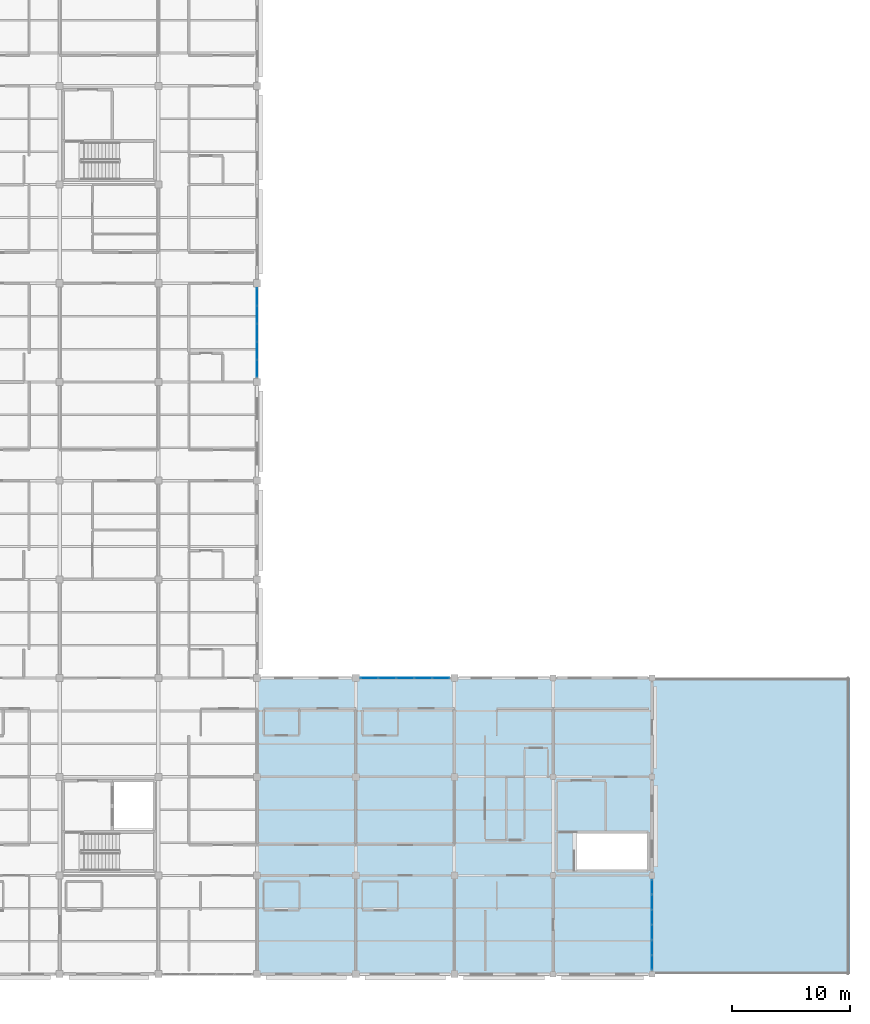
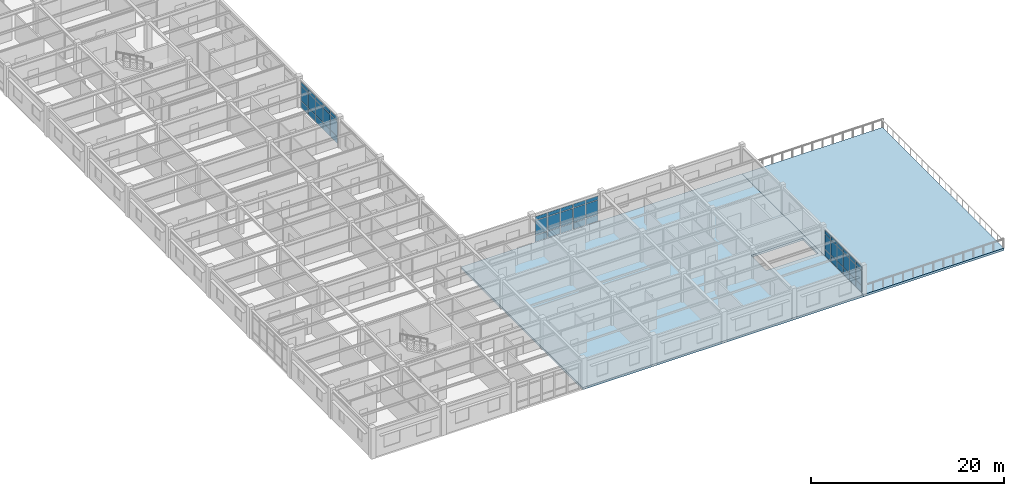
# One storey, part 39 of 70: 48 plates, 2 slabs, 3 elements without a shape of their own.
"""IFC4 building model written with IfcOpenShell, lengths in metres."""

from ifc_helpers import new_model, si_unit, direction, frame, origin, origin_2d, place, context, subcontext, project, spatial, polyline, rectangle, outline, extrude, material, layer, layer_set, type_object, element, aggregate, save


model = new_model("IFC4")

# Units and contexts
model_context = context("Model", 3, precision=1e-05, world=origin(), true_north=direction((0.0, 1.0)))
body_context = subcontext(model_context, "Body", "Model", "MODEL_VIEW")
ifc_project = project(units=[si_unit("LENGTHUNIT", "METRE"), si_unit("AREAUNIT", "SQUARE_METRE"), si_unit("VOLUMEUNIT", "CUBIC_METRE"), si_unit("PLANEANGLEUNIT", "RADIAN"), si_unit("MASSUNIT", "GRAM", prefix="KILO")], contexts=[model_context])

# Site, building, storey
site_placement = place(None, origin())
site = spatial("IfcSite", under=ifc_project, at=site_placement, CompositionType="ELEMENT")
building_placement = place(site_placement, origin())
building = spatial("IfcBuilding", under=site, at=building_placement, Name="Bramfleet General Hospital", CompositionType="ELEMENT")
storey_placement = place(building_placement, frame((0.0, 0.0, 22.5)))
storey = spatial("IfcBuildingStorey", under=building, at=storey_placement, Name="L05", CompositionType="ELEMENT", Elevation=22.5)

# Curtain wall, plates
ifc_material_1 = material(Name="Anodised aluminium and low-E triple glazing", Category="aluminium")
ifc_layer_1 = layer(ifc_material_1, 0.179931640625, Name="CWT-CW-11")
ifc_layer_set_1 = layer_set([ifc_layer_1], Name="Anodised aluminium and low-E triple glazing")
curtain_wall_type_1 = type_object("IfcCurtainWallType", Name="CWT-CW-11", PredefinedType="USERDEFINED", material=ifc_layer_set_1)
curtain_wall_1_placement = place(storey_placement, origin())
curtain_wall_1 = element("IfcCurtainWall", 1, at=curtain_wall_1_placement, inside=storey, type_object=curtain_wall_type_1, Name="L05 Curtain Wall 209", ObjectType="Stick curtain wall", PredefinedType="USERDEFINED")
ifc_material_2 = material(Name="Low-E laminated safety glass", Category="glass")
ifc_layer_2 = layer(ifc_material_2, 0.028076171875, Name="CWP-GLZ-1")
ifc_layer_set_2 = layer_set([ifc_layer_2], Name="Low-E laminated safety glass")
plate_type_1 = type_object("IfcPlateType", Name="CWP-GLZ-1", PredefinedType="CURTAIN_PANEL", material=ifc_layer_set_2)
plate_1_placement = place(storey_placement, frame((151.199951171875, 7.41162109375, 0.06494140625), z_axis=(0.0, 0.0, 1.0), x_axis=(0.0, -1.0, 0.0)))
plate_1 = element("IfcPlate", 2, at=plate_1_placement, type_object=plate_type_1, Name="CW-11 panel 1.1", PredefinedType="CURTAIN_PANEL", context=body_context, shape_type="SweptSolid", body=[
    extrude(rectangle(XDim=1.186767578125, YDim=0.028076171875, at=origin_2d()), origin(), (0.0, 0.0, 1.0), 0.802490234375),
])
plate_2_placement = place(storey_placement, frame((151.199951171875, 7.41162109375, 0.9326171875), z_axis=(0.0, 0.0, 1.0), x_axis=(0.0, -1.0, 0.0)))
plate_2 = element("IfcPlate", 3, at=plate_2_placement, type_object=plate_type_1, Name="CW-11 panel 1.2", PredefinedType="CURTAIN_PANEL", context=body_context, shape_type="SweptSolid", body=[
    extrude(rectangle(XDim=1.186767578125, YDim=0.028076171875, at=origin_2d()), origin(), (0.0, 0.0, 1.0), 1.85498046875),
])
plate_3_placement = place(storey_placement, frame((151.199951171875, 7.41162109375, 2.8525390625), z_axis=(0.0, 0.0, 1.0), x_axis=(0.0, -1.0, 0.0)))
plate_3 = element("IfcPlate", 4, at=plate_3_placement, type_object=plate_type_1, Name="CW-11 panel 1.3", PredefinedType="CURTAIN_PANEL", context=body_context, shape_type="SweptSolid", body=[
    extrude(rectangle(XDim=1.186767578125, YDim=0.028076171875, at=origin_2d()), origin(), (0.0, 0.0, 1.0), 0.452392578125),
])
plate_4_placement = place(storey_placement, frame((151.199951171875, 6.137451171875, 0.06494140625), z_axis=(0.0, 0.0, 1.0), x_axis=(0.0, -1.0, 0.0)))
plate_4 = element("IfcPlate", 5, at=plate_4_placement, type_object=plate_type_1, Name="CW-11 panel 2.1", PredefinedType="CURTAIN_PANEL", context=body_context, shape_type="SweptSolid", body=[
    extrude(rectangle(XDim=1.2216796875, YDim=0.028076171875, at=origin_2d()), origin(), (0.0, 0.0, 1.0), 0.802490234375),
])
plate_5_placement = place(storey_placement, frame((151.199951171875, 6.137451171875, 0.9326171875), z_axis=(0.0, 0.0, 1.0), x_axis=(0.0, -1.0, 0.0)))
plate_5 = element("IfcPlate", 6, at=plate_5_placement, type_object=plate_type_1, Name="CW-11 panel 2.2", PredefinedType="CURTAIN_PANEL", context=body_context, shape_type="SweptSolid", body=[
    extrude(rectangle(XDim=1.2216796875, YDim=0.028076171875, at=origin_2d()), origin(), (0.0, 0.0, 1.0), 1.85498046875),
])
plate_6_placement = place(storey_placement, frame((151.199951171875, 6.137451171875, 2.8525390625), z_axis=(0.0, 0.0, 1.0), x_axis=(0.0, -1.0, 0.0)))
plate_6 = element("IfcPlate", 7, at=plate_6_placement, type_object=plate_type_1, Name="CW-11 panel 2.3", PredefinedType="CURTAIN_PANEL", context=body_context, shape_type="SweptSolid", body=[
    extrude(rectangle(XDim=1.2216796875, YDim=0.028076171875, at=origin_2d()), origin(), (0.0, 0.0, 1.0), 0.452392578125),
])
plate_7_placement = place(storey_placement, frame((151.199951171875, 4.845947265625, 0.06494140625), z_axis=(0.0, 0.0, 1.0), x_axis=(0.0, -1.0, 0.0)))
plate_7 = element("IfcPlate", 8, at=plate_7_placement, type_object=plate_type_1, Name="CW-11 panel 3.1", PredefinedType="CURTAIN_PANEL", context=body_context, shape_type="SweptSolid", body=[
    extrude(rectangle(XDim=1.2216796875, YDim=0.028076171875, at=origin_2d()), origin(), (0.0, 0.0, 1.0), 0.802490234375),
])
plate_8_placement = place(storey_placement, frame((151.199951171875, 4.845947265625, 0.9326171875), z_axis=(0.0, 0.0, 1.0), x_axis=(0.0, -1.0, 0.0)))
plate_8 = element("IfcPlate", 9, at=plate_8_placement, type_object=plate_type_1, Name="CW-11 panel 3.2", PredefinedType="CURTAIN_PANEL", context=body_context, shape_type="SweptSolid", body=[
    extrude(rectangle(XDim=1.2216796875, YDim=0.028076171875, at=origin_2d()), origin(), (0.0, 0.0, 1.0), 1.85498046875),
])
plate_9_placement = place(storey_placement, frame((151.199951171875, 4.845947265625, 2.8525390625), z_axis=(0.0, 0.0, 1.0), x_axis=(0.0, -1.0, 0.0)))
plate_9 = element("IfcPlate", 10, at=plate_9_placement, type_object=plate_type_1, Name="CW-11 panel 3.3", PredefinedType="CURTAIN_PANEL", context=body_context, shape_type="SweptSolid", body=[
    extrude(rectangle(XDim=1.2216796875, YDim=0.028076171875, at=origin_2d()), origin(), (0.0, 0.0, 1.0), 0.452392578125),
])
plate_10_placement = place(storey_placement, frame((151.199951171875, 3.55419921875, 0.06494140625), z_axis=(0.0, 0.0, 1.0), x_axis=(0.0, -1.0, 0.0)))
plate_10 = element("IfcPlate", 11, at=plate_10_placement, type_object=plate_type_1, Name="CW-11 panel 4.1", PredefinedType="CURTAIN_PANEL", context=body_context, shape_type="SweptSolid", body=[
    extrude(rectangle(XDim=1.2216796875, YDim=0.028076171875, at=origin_2d()), origin(), (0.0, 0.0, 1.0), 0.802490234375),
])
plate_11_placement = place(storey_placement, frame((151.199951171875, 3.55419921875, 0.9326171875), z_axis=(0.0, 0.0, 1.0), x_axis=(0.0, -1.0, 0.0)))
plate_11 = element("IfcPlate", 12, at=plate_11_placement, type_object=plate_type_1, Name="CW-11 panel 4.2", PredefinedType="CURTAIN_PANEL", context=body_context, shape_type="SweptSolid", body=[
    extrude(rectangle(XDim=1.2216796875, YDim=0.028076171875, at=origin_2d()), origin(), (0.0, 0.0, 1.0), 1.85498046875),
])
plate_12_placement = place(storey_placement, frame((151.199951171875, 3.55419921875, 2.8525390625), z_axis=(0.0, 0.0, 1.0), x_axis=(0.0, -1.0, 0.0)))
plate_12 = element("IfcPlate", 13, at=plate_12_placement, type_object=plate_type_1, Name="CW-11 panel 4.3", PredefinedType="CURTAIN_PANEL", context=body_context, shape_type="SweptSolid", body=[
    extrude(rectangle(XDim=1.2216796875, YDim=0.028076171875, at=origin_2d()), origin(), (0.0, 0.0, 1.0), 0.452392578125),
])
plate_13_placement = place(storey_placement, frame((151.199951171875, 2.262451171875, 0.06494140625), z_axis=(0.0, 0.0, 1.0), x_axis=(0.0, -1.0, 0.0)))
plate_13 = element("IfcPlate", 14, at=plate_13_placement, type_object=plate_type_1, Name="CW-11 panel 5.1", PredefinedType="CURTAIN_PANEL", context=body_context, shape_type="SweptSolid", body=[
    extrude(rectangle(XDim=1.2216796875, YDim=0.028076171875, at=origin_2d()), origin(), (0.0, 0.0, 1.0), 0.802490234375),
])
plate_14_placement = place(storey_placement, frame((151.199951171875, 2.262451171875, 0.9326171875), z_axis=(0.0, 0.0, 1.0), x_axis=(0.0, -1.0, 0.0)))
plate_14 = element("IfcPlate", 15, at=plate_14_placement, type_object=plate_type_1, Name="CW-11 panel 5.2", PredefinedType="CURTAIN_PANEL", context=body_context, shape_type="SweptSolid", body=[
    extrude(rectangle(XDim=1.2216796875, YDim=0.028076171875, at=origin_2d()), origin(), (0.0, 0.0, 1.0), 1.85498046875),
])
plate_15_placement = place(storey_placement, frame((151.199951171875, 2.262451171875, 2.8525390625), z_axis=(0.0, 0.0, 1.0), x_axis=(0.0, -1.0, 0.0)))
plate_15 = element("IfcPlate", 16, at=plate_15_placement, type_object=plate_type_1, Name="CW-11 panel 5.3", PredefinedType="CURTAIN_PANEL", context=body_context, shape_type="SweptSolid", body=[
    extrude(rectangle(XDim=1.2216796875, YDim=0.028076171875, at=origin_2d()), origin(), (0.0, 0.0, 1.0), 0.452392578125),
])
plate_16_placement = place(storey_placement, frame((151.199951171875, 0.98828125, 0.06494140625), z_axis=(0.0, 0.0, 1.0), x_axis=(0.0, -1.0, 0.0)))
plate_16 = element("IfcPlate", 17, at=plate_16_placement, type_object=plate_type_1, Name="CW-11 panel 6.1", PredefinedType="CURTAIN_PANEL", context=body_context, shape_type="SweptSolid", body=[
    extrude(rectangle(XDim=1.186767578125, YDim=0.028076171875, at=origin_2d()), origin(), (0.0, 0.0, 1.0), 0.802490234375),
])
plate_17_placement = place(storey_placement, frame((151.199951171875, 0.98828125, 0.9326171875), z_axis=(0.0, 0.0, 1.0), x_axis=(0.0, -1.0, 0.0)))
plate_17 = element("IfcPlate", 18, at=plate_17_placement, type_object=plate_type_1, Name="CW-11 panel 6.2", PredefinedType="CURTAIN_PANEL", context=body_context, shape_type="SweptSolid", body=[
    extrude(rectangle(XDim=1.186767578125, YDim=0.028076171875, at=origin_2d()), origin(), (0.0, 0.0, 1.0), 1.85498046875),
])
plate_18_placement = place(storey_placement, frame((151.199951171875, 0.98828125, 2.8525390625), z_axis=(0.0, 0.0, 1.0), x_axis=(0.0, -1.0, 0.0)))
plate_18 = element("IfcPlate", 19, at=plate_18_placement, type_object=plate_type_1, Name="CW-11 panel 6.3", PredefinedType="CURTAIN_PANEL", context=body_context, shape_type="SweptSolid", body=[
    extrude(rectangle(XDim=1.186767578125, YDim=0.028076171875, at=origin_2d()), origin(), (0.0, 0.0, 1.0), 0.452392578125),
])
aggregate(curtain_wall_1, [plate_1, plate_2, plate_3, plate_4, plate_5, plate_6, plate_7, plate_8, plate_9, plate_10, plate_11, plate_12, plate_13, plate_14, plate_15, plate_16, plate_17, plate_18])

ifc_layer_3 = layer(ifc_material_1, 0.179931640625, Name="CWT-CW-09")
ifc_layer_set_3 = layer_set([ifc_layer_3], Name="Anodised aluminium and low-E triple glazing")
curtain_wall_type_2 = type_object("IfcCurtainWallType", Name="CWT-CW-09", PredefinedType="USERDEFINED", material=ifc_layer_set_3)
curtain_wall_2_placement = place(storey_placement, origin())
curtain_wall_2 = element("IfcCurtainWall", 20, at=curtain_wall_2_placement, inside=storey, type_object=curtain_wall_type_2, Name="L05 Curtain Wall 207", ObjectType="Unitised curtain wall", PredefinedType="USERDEFINED")
ifc_layer_4 = layer(ifc_material_2, 0.035888671875, Name="CWP-GLZ-3")
ifc_layer_set_4 = layer_set([ifc_layer_4], Name="Low-E laminated safety glass")
plate_type_2 = type_object("IfcPlateType", Name="CWP-GLZ-3", PredefinedType="CURTAIN_PANEL", material=ifc_layer_set_4)
plate_19_placement = place(storey_placement, frame((117.60009765625, 57.642578125, 0.06494140625), z_axis=(0.0, 0.0, 1.0), x_axis=(0.0, -1.0, 0.0)))
plate_19 = element("IfcPlate", 21, at=plate_19_placement, type_object=plate_type_2, Name="CW-09 panel 1.1", PredefinedType="CURTAIN_PANEL", context=body_context, shape_type="SweptSolid", body=[
    extrude(rectangle(XDim=1.425048828125, YDim=0.035888671875, at=origin_2d()), origin(), (0.0, 0.0, 1.0), 0.802490234375),
])
plate_20_placement = place(storey_placement, frame((117.60009765625, 57.642578125, 0.9326171875), z_axis=(0.0, 0.0, 1.0), x_axis=(0.0, -1.0, 0.0)))
plate_20 = element("IfcPlate", 22, at=plate_20_placement, type_object=plate_type_2, Name="CW-09 panel 1.2", PredefinedType="CURTAIN_PANEL", context=body_context, shape_type="SweptSolid", body=[
    extrude(rectangle(XDim=1.425048828125, YDim=0.035888671875, at=origin_2d()), origin(), (0.0, 0.0, 1.0), 1.864990234375),
])
plate_21_placement = place(storey_placement, frame((117.60009765625, 57.642578125, 2.86279296875), z_axis=(0.0, 0.0, 1.0), x_axis=(0.0, -1.0, 0.0)))
plate_21 = element("IfcPlate", 23, at=plate_21_placement, type_object=plate_type_2, Name="CW-09 panel 1.3", PredefinedType="CURTAIN_PANEL", context=body_context, shape_type="SweptSolid", body=[
    extrude(rectangle(XDim=1.425048828125, YDim=0.035888671875, at=origin_2d()), origin(), (0.0, 0.0, 1.0), 0.452392578125),
])
plate_22_placement = place(storey_placement, frame((117.60009765625, 56.1298828125, 0.06494140625), z_axis=(0.0, 0.0, 1.0), x_axis=(0.0, -1.0, 0.0)))
plate_22 = element("IfcPlate", 24, at=plate_22_placement, type_object=plate_type_2, Name="CW-09 panel 2.1", PredefinedType="CURTAIN_PANEL", context=body_context, shape_type="SweptSolid", body=[
    extrude(rectangle(XDim=1.4599609375, YDim=0.035888671875, at=origin_2d()), origin(), (0.0, 0.0, 1.0), 0.802490234375),
])
plate_23_placement = place(storey_placement, frame((117.60009765625, 56.1298828125, 0.9326171875), z_axis=(0.0, 0.0, 1.0), x_axis=(0.0, -1.0, 0.0)))
plate_23 = element("IfcPlate", 25, at=plate_23_placement, type_object=plate_type_2, Name="CW-09 panel 2.2", PredefinedType="CURTAIN_PANEL", context=body_context, shape_type="SweptSolid", body=[
    extrude(rectangle(XDim=1.4599609375, YDim=0.035888671875, at=origin_2d()), origin(), (0.0, 0.0, 1.0), 1.864990234375),
])
plate_24_placement = place(storey_placement, frame((117.60009765625, 56.1298828125, 2.86279296875), z_axis=(0.0, 0.0, 1.0), x_axis=(0.0, -1.0, 0.0)))
plate_24 = element("IfcPlate", 26, at=plate_24_placement, type_object=plate_type_2, Name="CW-09 panel 2.3", PredefinedType="CURTAIN_PANEL", context=body_context, shape_type="SweptSolid", body=[
    extrude(rectangle(XDim=1.4599609375, YDim=0.035888671875, at=origin_2d()), origin(), (0.0, 0.0, 1.0), 0.452392578125),
])
plate_25_placement = place(storey_placement, frame((117.60009765625, 54.60009765625, 0.06494140625), z_axis=(0.0, 0.0, 1.0), x_axis=(0.0, -1.0, 0.0)))
plate_25 = element("IfcPlate", 27, at=plate_25_placement, type_object=plate_type_2, Name="CW-09 panel 3.1", PredefinedType="CURTAIN_PANEL", context=body_context, shape_type="SweptSolid", body=[
    extrude(rectangle(XDim=1.4599609375, YDim=0.035888671875, at=origin_2d()), origin(), (0.0, 0.0, 1.0), 0.802490234375),
])
plate_26_placement = place(storey_placement, frame((117.60009765625, 54.60009765625, 0.9326171875), z_axis=(0.0, 0.0, 1.0), x_axis=(0.0, -1.0, 0.0)))
plate_26 = element("IfcPlate", 28, at=plate_26_placement, type_object=plate_type_2, Name="CW-09 panel 3.2", PredefinedType="CURTAIN_PANEL", context=body_context, shape_type="SweptSolid", body=[
    extrude(rectangle(XDim=1.4599609375, YDim=0.035888671875, at=origin_2d()), origin(), (0.0, 0.0, 1.0), 1.864990234375),
])
plate_27_placement = place(storey_placement, frame((117.60009765625, 54.60009765625, 2.86279296875), z_axis=(0.0, 0.0, 1.0), x_axis=(0.0, -1.0, 0.0)))
plate_27 = element("IfcPlate", 29, at=plate_27_placement, type_object=plate_type_2, Name="CW-09 panel 3.3", PredefinedType="CURTAIN_PANEL", context=body_context, shape_type="SweptSolid", body=[
    extrude(rectangle(XDim=1.4599609375, YDim=0.035888671875, at=origin_2d()), origin(), (0.0, 0.0, 1.0), 0.452392578125),
])
plate_28_placement = place(storey_placement, frame((117.60009765625, 53.070068359375, 0.06494140625), z_axis=(0.0, 0.0, 1.0), x_axis=(0.0, -1.0, 0.0)))
plate_28 = element("IfcPlate", 30, at=plate_28_placement, type_object=plate_type_2, Name="CW-09 panel 4.1", PredefinedType="CURTAIN_PANEL", context=body_context, shape_type="SweptSolid", body=[
    extrude(rectangle(XDim=1.4599609375, YDim=0.035888671875, at=origin_2d()), origin(), (0.0, 0.0, 1.0), 0.802490234375),
])
plate_29_placement = place(storey_placement, frame((117.60009765625, 53.070068359375, 0.9326171875), z_axis=(0.0, 0.0, 1.0), x_axis=(0.0, -1.0, 0.0)))
plate_29 = element("IfcPlate", 31, at=plate_29_placement, type_object=plate_type_2, Name="CW-09 panel 4.2", PredefinedType="CURTAIN_PANEL", context=body_context, shape_type="SweptSolid", body=[
    extrude(rectangle(XDim=1.4599609375, YDim=0.035888671875, at=origin_2d()), origin(), (0.0, 0.0, 1.0), 1.864990234375),
])
plate_30_placement = place(storey_placement, frame((117.60009765625, 53.070068359375, 2.86279296875), z_axis=(0.0, 0.0, 1.0), x_axis=(0.0, -1.0, 0.0)))
plate_30 = element("IfcPlate", 32, at=plate_30_placement, type_object=plate_type_2, Name="CW-09 panel 4.3", PredefinedType="CURTAIN_PANEL", context=body_context, shape_type="SweptSolid", body=[
    extrude(rectangle(XDim=1.4599609375, YDim=0.035888671875, at=origin_2d()), origin(), (0.0, 0.0, 1.0), 0.452392578125),
])
plate_31_placement = place(storey_placement, frame((117.60009765625, 51.5576171875, 0.06494140625), z_axis=(0.0, 0.0, 1.0), x_axis=(0.0, -1.0, 0.0)))
plate_31 = element("IfcPlate", 33, at=plate_31_placement, type_object=plate_type_2, Name="CW-09 panel 5.1", PredefinedType="CURTAIN_PANEL", context=body_context, shape_type="SweptSolid", body=[
    extrude(rectangle(XDim=1.425048828125, YDim=0.035888671875, at=origin_2d()), origin(), (0.0, 0.0, 1.0), 0.802490234375),
])
plate_32_placement = place(storey_placement, frame((117.60009765625, 51.5576171875, 0.9326171875), z_axis=(0.0, 0.0, 1.0), x_axis=(0.0, -1.0, 0.0)))
plate_32 = element("IfcPlate", 34, at=plate_32_placement, type_object=plate_type_2, Name="CW-09 panel 5.2", PredefinedType="CURTAIN_PANEL", context=body_context, shape_type="SweptSolid", body=[
    extrude(rectangle(XDim=1.425048828125, YDim=0.035888671875, at=origin_2d()), origin(), (0.0, 0.0, 1.0), 1.864990234375),
])
plate_33_placement = place(storey_placement, frame((117.60009765625, 51.5576171875, 2.86279296875), z_axis=(0.0, 0.0, 1.0), x_axis=(0.0, -1.0, 0.0)))
plate_33 = element("IfcPlate", 35, at=plate_33_placement, type_object=plate_type_2, Name="CW-09 panel 5.3", PredefinedType="CURTAIN_PANEL", context=body_context, shape_type="SweptSolid", body=[
    extrude(rectangle(XDim=1.425048828125, YDim=0.035888671875, at=origin_2d()), origin(), (0.0, 0.0, 1.0), 0.452392578125),
])
aggregate(curtain_wall_2, [plate_19, plate_20, plate_21, plate_22, plate_23, plate_24, plate_25, plate_26, plate_27, plate_28, plate_29, plate_30, plate_31, plate_32, plate_33])

ifc_layer_5 = layer(ifc_material_1, 0.179931640625, Name="CWT-CW-10")
ifc_layer_set_5 = layer_set([ifc_layer_5], Name="Anodised aluminium and low-E triple glazing")
curtain_wall_type_3 = type_object("IfcCurtainWallType", Name="CWT-CW-10", PredefinedType="USERDEFINED", material=ifc_layer_set_5)
curtain_wall_3_placement = place(storey_placement, origin())
curtain_wall_3 = element("IfcCurtainWall", 36, at=curtain_wall_3_placement, inside=storey, type_object=curtain_wall_type_3, Name="L05 Curtain Wall 208", ObjectType="Stick curtain wall", PredefinedType="USERDEFINED")
ifc_layer_6 = layer(ifc_material_2, 0.0419921875, Name="CWP-GLZ-4")
ifc_layer_set_6 = layer_set([ifc_layer_6], Name="Low-E laminated safety glass")
plate_type_3 = type_object("IfcPlateType", Name="CWP-GLZ-4", PredefinedType="CURTAIN_PANEL", material=ifc_layer_set_6)
plate_34_placement = place(storey_placement, frame((127.157470703125, 25.199951171875, 0.06494140625), z_axis=(0.0, 0.0, 1.0), x_axis=(1.0, 0.0, 0.0)))
plate_34 = element("IfcPlate", 37, at=plate_34_placement, type_object=plate_type_3, Name="CW-10 panel 1.1", PredefinedType="CURTAIN_PANEL", context=body_context, shape_type="SweptSolid", body=[
    extrude(rectangle(XDim=1.425048828125, YDim=0.0419921875, at=origin_2d()), origin(), (0.0, 0.0, 1.0), 0.802490234375),
])
plate_35_placement = place(storey_placement, frame((127.157470703125, 25.199951171875, 0.9326171875), z_axis=(0.0, 0.0, 1.0), x_axis=(1.0, 0.0, 0.0)))
plate_35 = element("IfcPlate", 38, at=plate_35_placement, type_object=plate_type_3, Name="CW-10 panel 1.2", PredefinedType="CURTAIN_PANEL", context=body_context, shape_type="SweptSolid", body=[
    extrude(rectangle(XDim=1.425048828125, YDim=0.0419921875, at=origin_2d()), origin(), (0.0, 0.0, 1.0), 1.794921875),
])
plate_36_placement = place(storey_placement, frame((127.157470703125, 25.199951171875, 2.79248046875), z_axis=(0.0, 0.0, 1.0), x_axis=(1.0, 0.0, 0.0)))
plate_36 = element("IfcPlate", 39, at=plate_36_placement, type_object=plate_type_3, Name="CW-10 panel 1.3", PredefinedType="CURTAIN_PANEL", context=body_context, shape_type="SweptSolid", body=[
    extrude(rectangle(XDim=1.425048828125, YDim=0.0419921875, at=origin_2d()), origin(), (0.0, 0.0, 1.0), 0.452392578125),
])
plate_37_placement = place(storey_placement, frame((128.669921875, 25.199951171875, 0.06494140625), z_axis=(0.0, 0.0, 1.0), x_axis=(1.0, 0.0, 0.0)))
plate_37 = element("IfcPlate", 40, at=plate_37_placement, type_object=plate_type_3, Name="CW-10 panel 2.1", PredefinedType="CURTAIN_PANEL", context=body_context, shape_type="SweptSolid", body=[
    extrude(rectangle(XDim=1.4599609375, YDim=0.0419921875, at=origin_2d()), origin(), (0.0, 0.0, 1.0), 0.802490234375),
])
plate_38_placement = place(storey_placement, frame((128.669921875, 25.199951171875, 0.9326171875), z_axis=(0.0, 0.0, 1.0), x_axis=(1.0, 0.0, 0.0)))
plate_38 = element("IfcPlate", 41, at=plate_38_placement, type_object=plate_type_3, Name="CW-10 panel 2.2", PredefinedType="CURTAIN_PANEL", context=body_context, shape_type="SweptSolid", body=[
    extrude(rectangle(XDim=1.4599609375, YDim=0.0419921875, at=origin_2d()), origin(), (0.0, 0.0, 1.0), 1.794921875),
])
plate_39_placement = place(storey_placement, frame((128.669921875, 25.199951171875, 2.79248046875), z_axis=(0.0, 0.0, 1.0), x_axis=(1.0, 0.0, 0.0)))
plate_39 = element("IfcPlate", 42, at=plate_39_placement, type_object=plate_type_3, Name="CW-10 panel 2.3", PredefinedType="CURTAIN_PANEL", context=body_context, shape_type="SweptSolid", body=[
    extrude(rectangle(XDim=1.4599609375, YDim=0.0419921875, at=origin_2d()), origin(), (0.0, 0.0, 1.0), 0.452392578125),
])
plate_40_placement = place(storey_placement, frame((130.199951171875, 25.199951171875, 0.06494140625), z_axis=(0.0, 0.0, 1.0), x_axis=(1.0, 0.0, 0.0)))
plate_40 = element("IfcPlate", 43, at=plate_40_placement, type_object=plate_type_3, Name="CW-10 panel 3.1", PredefinedType="CURTAIN_PANEL", context=body_context, shape_type="SweptSolid", body=[
    extrude(rectangle(XDim=1.4599609375, YDim=0.0419921875, at=origin_2d()), origin(), (0.0, 0.0, 1.0), 0.802490234375),
])
plate_41_placement = place(storey_placement, frame((130.199951171875, 25.199951171875, 0.9326171875), z_axis=(0.0, 0.0, 1.0), x_axis=(1.0, 0.0, 0.0)))
plate_41 = element("IfcPlate", 44, at=plate_41_placement, type_object=plate_type_3, Name="CW-10 panel 3.2", PredefinedType="CURTAIN_PANEL", context=body_context, shape_type="SweptSolid", body=[
    extrude(rectangle(XDim=1.4599609375, YDim=0.0419921875, at=origin_2d()), origin(), (0.0, 0.0, 1.0), 1.794921875),
])
plate_42_placement = place(storey_placement, frame((130.199951171875, 25.199951171875, 2.79248046875), z_axis=(0.0, 0.0, 1.0), x_axis=(1.0, 0.0, 0.0)))
plate_42 = element("IfcPlate", 45, at=plate_42_placement, type_object=plate_type_3, Name="CW-10 panel 3.3", PredefinedType="CURTAIN_PANEL", context=body_context, shape_type="SweptSolid", body=[
    extrude(rectangle(XDim=1.4599609375, YDim=0.0419921875, at=origin_2d()), origin(), (0.0, 0.0, 1.0), 0.452392578125),
])
plate_43_placement = place(storey_placement, frame((131.72998046875, 25.199951171875, 0.06494140625), z_axis=(0.0, 0.0, 1.0), x_axis=(1.0, 0.0, 0.0)))
plate_43 = element("IfcPlate", 46, at=plate_43_placement, type_object=plate_type_3, Name="CW-10 panel 4.1", PredefinedType="CURTAIN_PANEL", context=body_context, shape_type="SweptSolid", body=[
    extrude(rectangle(XDim=1.4599609375, YDim=0.0419921875, at=origin_2d()), origin(), (0.0, 0.0, 1.0), 0.802490234375),
])
plate_44_placement = place(storey_placement, frame((131.72998046875, 25.199951171875, 0.9326171875), z_axis=(0.0, 0.0, 1.0), x_axis=(1.0, 0.0, 0.0)))
plate_44 = element("IfcPlate", 47, at=plate_44_placement, type_object=plate_type_3, Name="CW-10 panel 4.2", PredefinedType="CURTAIN_PANEL", context=body_context, shape_type="SweptSolid", body=[
    extrude(rectangle(XDim=1.4599609375, YDim=0.0419921875, at=origin_2d()), origin(), (0.0, 0.0, 1.0), 1.794921875),
])
plate_45_placement = place(storey_placement, frame((131.72998046875, 25.199951171875, 2.79248046875), z_axis=(0.0, 0.0, 1.0), x_axis=(1.0, 0.0, 0.0)))
plate_45 = element("IfcPlate", 48, at=plate_45_placement, type_object=plate_type_3, Name="CW-10 panel 4.3", PredefinedType="CURTAIN_PANEL", context=body_context, shape_type="SweptSolid", body=[
    extrude(rectangle(XDim=1.4599609375, YDim=0.0419921875, at=origin_2d()), origin(), (0.0, 0.0, 1.0), 0.452392578125),
])
plate_46_placement = place(storey_placement, frame((133.242431640625, 25.199951171875, 0.06494140625), z_axis=(0.0, 0.0, 1.0), x_axis=(1.0, 0.0, 0.0)))
plate_46 = element("IfcPlate", 49, at=plate_46_placement, type_object=plate_type_3, Name="CW-10 panel 5.1", PredefinedType="CURTAIN_PANEL", context=body_context, shape_type="SweptSolid", body=[
    extrude(rectangle(XDim=1.425048828125, YDim=0.0419921875, at=origin_2d()), origin(), (0.0, 0.0, 1.0), 0.802490234375),
])
plate_47_placement = place(storey_placement, frame((133.242431640625, 25.199951171875, 0.9326171875), z_axis=(0.0, 0.0, 1.0), x_axis=(1.0, 0.0, 0.0)))
plate_47 = element("IfcPlate", 50, at=plate_47_placement, type_object=plate_type_3, Name="CW-10 panel 5.2", PredefinedType="CURTAIN_PANEL", context=body_context, shape_type="SweptSolid", body=[
    extrude(rectangle(XDim=1.425048828125, YDim=0.0419921875, at=origin_2d()), origin(), (0.0, 0.0, 1.0), 1.794921875),
])
plate_48_placement = place(storey_placement, frame((133.242431640625, 25.199951171875, 2.79248046875), z_axis=(0.0, 0.0, 1.0), x_axis=(1.0, 0.0, 0.0)))
plate_48 = element("IfcPlate", 51, at=plate_48_placement, type_object=plate_type_3, Name="CW-10 panel 5.3", PredefinedType="CURTAIN_PANEL", context=body_context, shape_type="SweptSolid", body=[
    extrude(rectangle(XDim=1.425048828125, YDim=0.0419921875, at=origin_2d()), origin(), (0.0, 0.0, 1.0), 0.452392578125),
])
aggregate(curtain_wall_3, [plate_34, plate_35, plate_36, plate_37, plate_38, plate_39, plate_40, plate_41, plate_42, plate_43, plate_44, plate_45, plate_46, plate_47, plate_48])

# Slabs
ifc_material_3 = material(Name="Concrete C35/45", Category="concrete")
ifc_layer_7 = layer(ifc_material_3, 0.280029296875, Name="SL-FLR-280")
ifc_layer_set_7 = layer_set([ifc_layer_7], Name="Concrete C35/45")
slab_type_1 = type_object("IfcSlabType", Name="SL-FLR-280", PredefinedType="FLOOR", material=ifc_layer_set_7)
slab_1_placement = place(storey_placement, frame((0.0, 0.0, -0.280029296875)))
element("IfcSlab", 52, at=slab_1_placement, inside=storey, type_object=slab_type_1, Name="L05 Structural Floor Slab (EAST)", PredefinedType="FLOOR", context=body_context, shape_type="SweptSolid", body=[
    extrude(outline(polyline([(126.0, 25.199951171875), (134.39990234375, 25.199951171875), (142.800048828125, 25.199951171875), (151.199951171875, 25.199951171875), (151.199951171875, 16.800048828125), (151.199951171875, 8.39990234375), (151.199951171875, 0.0), (142.800048828125, 0.0), (134.39990234375, 0.0), (126.0, 0.0), (117.60009765625, 0.0), (117.60009765625, 25.199951171875), (126.0, 25.199951171875)]), holes=[polyline([(144.639892578125, 8.820068359375), (150.860107421875, 8.820068359375), (150.860107421875, 11.97998046875), (144.639892578125, 11.97998046875), (144.639892578125, 8.820068359375)])]), origin(), (0.0, 0.0, 1.0), 0.280029296875),
])
ifc_layer_8 = layer(ifc_material_3, 0.2900390625, Name="SL-TER-290")
ifc_layer_set_8 = layer_set([ifc_layer_8], Name="Concrete C35/45")
slab_type_2 = type_object("IfcSlabType", Name="SL-TER-290", PredefinedType="FLOOR", material=ifc_layer_set_8)
slab_2_placement = place(storey_placement, frame((0.0, 0.0, -0.2900390625)))
element("IfcSlab", 53, at=slab_2_placement, inside=storey, type_object=slab_type_2, Name="L05 Setback Ward Terrace 1", PredefinedType="FLOOR", context=body_context, shape_type="SweptSolid", body=[
    extrude(outline(polyline([(159.60009765625, 25.199951171875), (168.0, 25.199951171875), (168.0, 16.800048828125), (168.0, 8.39990234375), (168.0, 0.0), (159.60009765625, 0.0), (151.199951171875, 0.0), (151.199951171875, 8.39990234375), (151.199951171875, 16.800048828125), (151.199951171875, 25.199951171875), (159.60009765625, 25.199951171875)])), origin(), (0.0, 0.0, 1.0), 0.2900390625),
])

save(model, "model.ifc")
